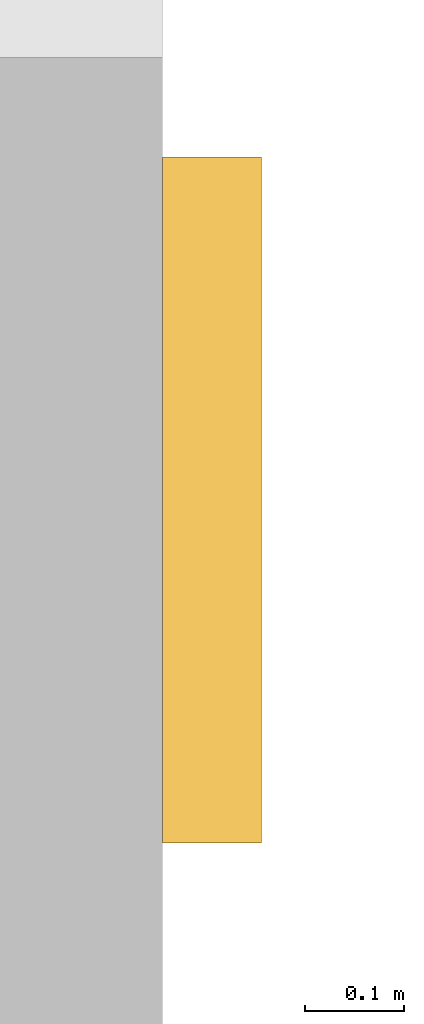
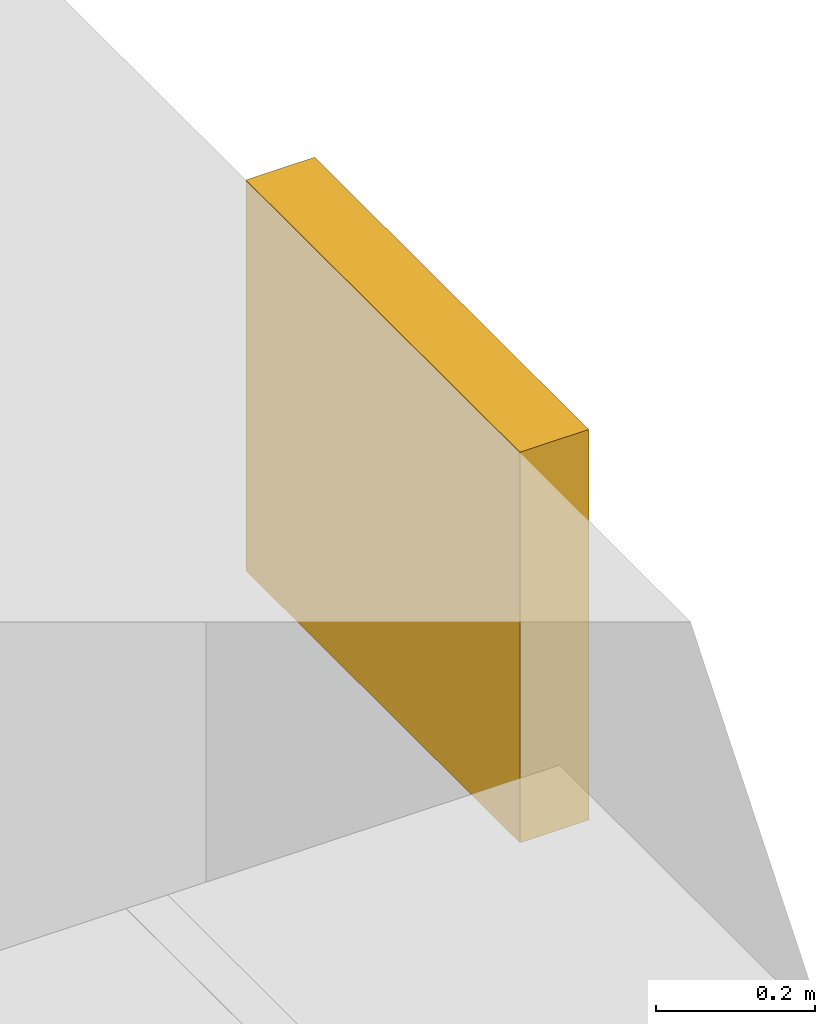
# One storey, part 19 of 22: 1 shading device.
"""IFC4 building model written with IfcOpenShell, lengths in metres."""

from ifc_helpers import new_model, si_unit, direction, frame, origin, origin_2d, place, context, subcontext, project, spatial, rectangle, extrude, material, layer, layer_set, type_object, element, save


model = new_model("IFC4")

# Units and contexts
model_context = context("Model", 3, precision=1e-05, world=origin(), true_north=direction((0.0, 1.0)))
body_context = subcontext(model_context, "Body", "Model", "MODEL_VIEW")
ifc_project = project(units=[si_unit("LENGTHUNIT", "METRE"), si_unit("AREAUNIT", "SQUARE_METRE"), si_unit("VOLUMEUNIT", "CUBIC_METRE"), si_unit("PLANEANGLEUNIT", "RADIAN"), si_unit("MASSUNIT", "GRAM", prefix="KILO")], contexts=[model_context])

# Site, building, storey
site_placement = place(None, origin())
site = spatial("IfcSite", under=ifc_project, at=site_placement, CompositionType="ELEMENT")
building_placement = place(site_placement, origin())
building = spatial("IfcBuilding", under=site, at=building_placement, Name="Vermilion Gate Residences", CompositionType="ELEMENT")
storey_placement = place(building_placement, frame((0.0, 0.0, 63.699951171875)))
storey = spatial("IfcBuildingStorey", under=building, at=storey_placement, Name="L15", CompositionType="ELEMENT", Elevation=63.699951171875)

# Shading device
ifc_material = material(Name="Extruded terracotta", Category="masonry")
ifc_layer = layer(ifc_material, 0.10009765625)
ifc_layer_set = layer_set([ifc_layer], Name="TERRACOTTA SPANDREL BAND 600 X 100")
shading_device_type = type_object("IfcShadingDeviceType", Name="TERRACOTTA SPANDREL BAND 600 X 100", PredefinedType="USERDEFINED", material=ifc_layer_set)
shading_device_placement = place(storey_placement, frame((25.25, 54.7548828125, 2.6201171875), z_axis=(0.0, 0.0, 1.0), x_axis=(0.0, 1.0, 0.0)))
element("IfcShadingDevice", 1, at=shading_device_placement, inside=storey, type_object=shading_device_type, Name="SPANDREL BAND", ObjectType="BAND", PredefinedType="USERDEFINED", context=body_context, shape_type="SweptSolid", body=[
    extrude(rectangle(XDim=0.68994140625, YDim=0.10009765625, at=origin_2d()), origin(), (0.0, 0.0, 1.0), 0.60009765625),
])

save(model, "model.ifc")
